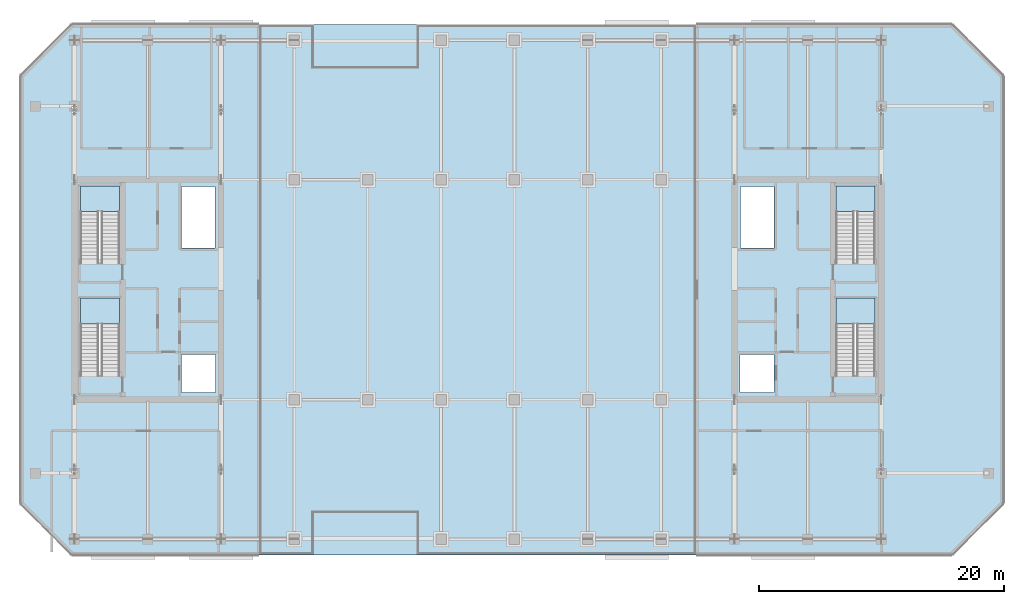
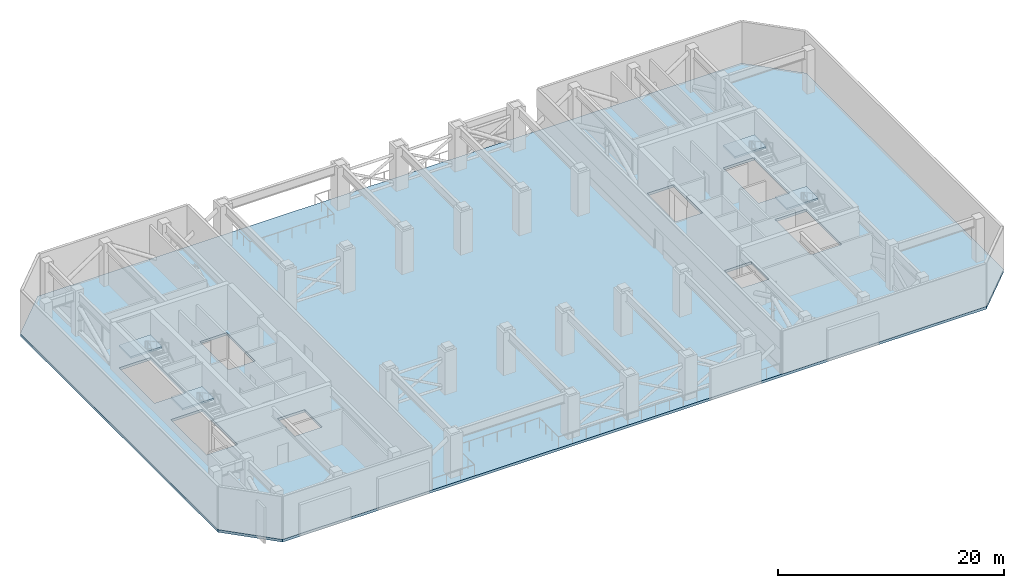
# One storey, part 7 of 18: 5 slabs, 4 elements without a shape of their own.
"""IFC4 building model written with IfcOpenShell, lengths in metres."""

import ifcopenshell
import ifcopenshell.guid

model = None  # the IFC model being written
_history = None  # IfcOwnerHistory: only IFC2X3 demands one
_inside = {}  # id of a spatial element -> (the spatial element, [elements in it])
_under = {}  # id of a project, library or spatial element -> (it, [spatial elements below it])
_declared = {}  # id of a project -> (the project, [libraries it declares])
_typed = {}  # id of a type object -> (the type object, [elements of that type])
_made_of = {}  # id of a material, layer set ... -> (it, [elements and type objects made of it])


def new_model(schema):
    """Start an empty IFC model of exactly this schema.

    Asked for "IFC4X3", IfcOpenShell would pick the latest addendum, in which some entities
    have other attributes; the version numbers below select the first issue.
    IFC2X3 requires an IfcOwnerHistory on every rooted entity: one is made here for all.
    """
    global model, _history
    if schema == "IFC4X3":
        model = ifcopenshell.file(schema_version=(4, 3, 0, 0))
    else:
        model = ifcopenshell.file(schema=schema)
    _inside.clear()
    _under.clear()
    _declared.clear()
    _typed.clear()
    _made_of.clear()
    _history = None
    if model.schema == "IFC2X3":
        org = make("IfcOrganization", Name="unknown")
        user = make(
            "IfcPersonAndOrganization",
            ThePerson=make("IfcPerson", FamilyName="unknown"),
            TheOrganization=org,
        )
        app = make(
            "IfcApplication",
            ApplicationDeveloper=org,
            Version="unknown",
            ApplicationFullName="unknown",
            ApplicationIdentifier="unknown",
        )
        _history = make(
            "IfcOwnerHistory",
            OwningUser=user,
            OwningApplication=app,
            ChangeAction="ADDED",
            CreationDate=0,
        )
    return model


def make(cls, **values):
    """One entity of the class cls with the attributes given. An attribute that is None is left unset."""
    return model.create_entity(
        cls, **{name: value for name, value in values.items() if value is not None}
    )


def rooted(cls, **values):
    """An entity with a GlobalId (a new one), such as an element, a storey or a relation."""
    return make(cls, GlobalId=ifcopenshell.guid.new(), OwnerHistory=_history, **values)


def si_unit(unit_type, name, prefix=None):
    """IfcSIUnit, for example si_unit("LENGTHUNIT", "METRE", prefix="MILLI")."""
    return make("IfcSIUnit", UnitType=unit_type, Prefix=prefix, Name=name)


def assignment(units):
    """IfcUnitAssignment: the units of a project."""
    return None if units is None else make("IfcUnitAssignment", Units=units)


def point(xyz):
    """IfcCartesianPoint."""
    return None if xyz is None else make("IfcCartesianPoint", Coordinates=xyz)


def direction(xyz):
    """IfcDirection."""
    return None if xyz is None else make("IfcDirection", DirectionRatios=xyz)


def frame(location, z_axis=None, x_axis=None):
    """IfcAxis2Placement3D, a coordinate frame: its origin and axes. An axis left out is left unset."""
    return make(
        "IfcAxis2Placement3D",
        Location=point(location),
        Axis=direction(z_axis),
        RefDirection=direction(x_axis),
    )


def origin():
    """The frame at (0, 0, 0) with its axes left unset."""
    return frame((0.0, 0.0, 0.0))


def place(relative_to, where):
    """IfcLocalPlacement: puts the frame where relative to a parent placement (None: the world)."""
    return make(
        "IfcLocalPlacement", PlacementRelTo=relative_to, RelativePlacement=where
    )


def context(
    kind, dimensions, precision=None, world=None, true_north=None, identifier=None
):
    """IfcGeometricRepresentationContext, for example the 3D "Model" context."""
    return make(
        "IfcGeometricRepresentationContext",
        ContextIdentifier=identifier,
        ContextType=kind,
        CoordinateSpaceDimension=dimensions,
        Precision=precision,
        WorldCoordinateSystem=world,
        TrueNorth=true_north,
    )


def subcontext(parent, identifier, kind, view, scale=None):
    """IfcGeometricRepresentationSubContext, for example "Body" below "Model"."""
    return make(
        "IfcGeometricRepresentationSubContext",
        ContextIdentifier=identifier,
        ContextType=kind,
        ParentContext=parent,
        TargetScale=scale,
        TargetView=view,
    )


def project(units=None, contexts=None):
    """IfcProject with its units and contexts."""
    return rooted(
        "IfcProject",
        Name="project",
        RepresentationContexts=contexts,
        UnitsInContext=assignment(units),
    )


def spatial(cls, under=None, at=None, **own):
    """A site, building, storey or space (cls), placed at a placement, below another one or the project."""
    s = rooted(cls, ObjectPlacement=at, **own)
    if under is not None:
        _under.setdefault(under.id(), (under, []))[1].append(s)
    return s


def polyline(points):
    """IfcPolyline through the points."""
    return make("IfcPolyline", Points=[point(p) for p in points])


def outline(outer, holes=None, kind="AREA"):
    """IfcArbitraryClosedProfileDef: a profile drawn as a closed curve; with holes, ...WithVoids."""
    if holes is None:
        return make("IfcArbitraryClosedProfileDef", ProfileType=kind, OuterCurve=outer)
    return make(
        "IfcArbitraryProfileDefWithVoids",
        ProfileType=kind,
        OuterCurve=outer,
        InnerCurves=holes,
    )


def extrude(swept, where, along, depth):
    """IfcExtrudedAreaSolid: the profile swept, set in the frame where, extruded along a direction by depth."""
    return make(
        "IfcExtrudedAreaSolid",
        SweptArea=swept,
        Position=where,
        ExtrudedDirection=direction(along),
        Depth=depth,
    )


def shape(context_of_items, identifier, shape_type, items):
    """IfcShapeRepresentation: the items that make up one representation, for example the "Body"."""
    return make(
        "IfcShapeRepresentation",
        ContextOfItems=context_of_items,
        RepresentationIdentifier=identifier,
        RepresentationType=shape_type,
        Items=items,
    )


def material(Name=None, Category=None):
    """IfcMaterial."""
    return make("IfcMaterial", Name=Name, Category=Category)


def layer(
    of_material, thickness, ventilated=None, Name=None, Category=None, Priority=None
):
    """IfcMaterialLayer: one layer of a wall or slab, of a material (None: an air gap)."""
    return make(
        "IfcMaterialLayer",
        Material=of_material,
        LayerThickness=thickness,
        IsVentilated=ventilated,
        Name=Name,
        Category=Category,
        Priority=Priority,
    )


def layer_set(layers, Name=None):
    """IfcMaterialLayerSet."""
    return make("IfcMaterialLayerSet", MaterialLayers=layers, LayerSetName=Name)


def made_of(thing, what):
    """Note that an element or type object is made of a material, layer set ...; save() writes the relation."""
    if what is not None:
        _made_of.setdefault(what.id(), (what, []))[1].append(thing)
    return thing


def type_object(cls, material=None, **own):
    """A type object (cls), such as IfcWallType, which elements share."""
    return made_of(rooted(cls, **own), material)


def element(
    cls,
    number,
    at=None,
    inside=None,
    cuts=None,
    type_object=None,
    material=None,
    context=None,
    identifier="Body",
    shape_type=None,
    held_by="IfcProductDefinitionShape",
    body=None,
    shapes=None,
    **own,
):
    """One element of the class cls, such as IfcWall. Its Tag is "e" and its number.

    at: its placement. inside: the storey or other place that contains it. cuts: it is an
    opening in that element (IfcRelVoidsElement). A single representation is given by context,
    identifier, shape_type and body (its items); several are given by shapes. held_by: the class
    of the entity that holds the representations. save() writes the other relations.
    """
    e = rooted(cls, Tag="e%d" % number, ObjectPlacement=at, **own)
    if body is not None:
        shapes = [shape(context, identifier, shape_type, body)]
    if shapes is not None:
        e.Representation = make(held_by, Representations=shapes)
    if inside is not None:
        _inside.setdefault(inside.id(), (inside, []))[1].append(e)
    if cuts is not None:
        rooted(
            "IfcRelVoidsElement", RelatingBuildingElement=cuts, RelatedOpeningElement=e
        )
    if type_object is not None:
        _typed.setdefault(type_object.id(), (type_object, []))[1].append(e)
    return made_of(e, material)


def aggregate(whole, parts):
    """IfcRelAggregates: a whole, such as a stair, and the parts it consists of."""
    return rooted("IfcRelAggregates", RelatingObject=whole, RelatedObjects=parts)


def save(model, path):
    """Write the relations noted so far, then the file.

    IfcRelAggregates (storeys below a building ...), IfcRelContainedInSpatialStructure (elements
    in a storey), IfcRelDefinesByType, IfcRelAssociatesMaterial and IfcRelDeclares: one each for
    every whole, place, type object, material and project.
    """
    for whole, parts in _under.values():
        aggregate(whole, parts)
    for where, things in _inside.values():
        rooted(
            "IfcRelContainedInSpatialStructure",
            RelatedElements=things,
            RelatingStructure=where,
        )
    for kind, things in _typed.values():
        rooted("IfcRelDefinesByType", RelatedObjects=things, RelatingType=kind)
    for what, things in _made_of.values():
        rooted("IfcRelAssociatesMaterial", RelatedObjects=things, RelatingMaterial=what)
    for by, libraries in _declared.values():
        rooted("IfcRelDeclares", RelatingContext=by, RelatedDefinitions=libraries)
    model.write(path)


model = new_model("IFC4")

# Units and contexts
model_context = context("Model", 3, precision=1e-05, world=origin(), true_north=direction((0.0, 1.0)))
body_context = subcontext(model_context, "Body", "Model", "MODEL_VIEW")
ifc_project = project(units=[si_unit("LENGTHUNIT", "METRE"), si_unit("AREAUNIT", "SQUARE_METRE"), si_unit("VOLUMEUNIT", "CUBIC_METRE"), si_unit("PLANEANGLEUNIT", "RADIAN"), si_unit("MASSUNIT", "GRAM", prefix="KILO")], contexts=[model_context])

# Site, building, storey
site_placement = place(None, origin())
site = spatial("IfcSite", under=ifc_project, at=site_placement, CompositionType="ELEMENT")
building_placement = place(site_placement, origin())
building = spatial("IfcBuilding", under=site, at=building_placement, Name="Tanjung Sevakor Pilgrim Tower", CompositionType="ELEMENT")
storey_placement = place(building_placement, frame((0.0, 0.0, 172.919921875)))
storey = spatial("IfcBuildingStorey", under=building, at=storey_placement, Name="L48", CompositionType="ELEMENT", Elevation=172.919921875)

# Stair, slab
ifc_material_1 = material(Name="Concrete C40/50", Category="concrete")
stair_type = type_object("IfcStairType", Name="STAIR-ST-CR150", PredefinedType="HALF_TURN_STAIR", material=ifc_material_1)
stair_1_placement = place(storey_placement, origin())
stair_1 = element("IfcStair", 1, at=stair_1_placement, inside=storey, type_object=stair_type, Name="L48 West Core Exit Stair 1", PredefinedType="HALF_TURN_STAIR")
ifc_material_2 = material(Name="Concrete C40/50", Category="concrete")
ifc_layer_1 = layer(ifc_material_2, 0.199951171875)
ifc_layer_set_1 = layer_set([ifc_layer_1], Name="SL-LAND-200")
slab_type_1 = type_object("IfcSlabType", Name="SL-LAND-200", PredefinedType="LANDING", material=ifc_layer_set_1)
slab_1_placement = place(storey_placement, frame((0.0, 0.0, 2.275146484375)))
slab_1 = element("IfcSlab", 2, at=slab_1_placement, type_object=slab_type_1, Name="TS-W1 landing 1", PredefinedType="LANDING", context=body_context, shape_type="SweptSolid", body=[
    extrude(outline(polyline([(27.699951171875, 30.800048828125), (27.699951171875, 32.89990234375), (24.5, 32.89990234375), (24.5, 30.800048828125), (27.699951171875, 30.800048828125)])), origin(), (0.0, 0.0, 1.0), 0.199951171875),
])
aggregate(stair_1, [slab_1])

stair_2_placement = place(storey_placement, origin())
stair_2 = element("IfcStair", 3, at=stair_2_placement, inside=storey, type_object=stair_type, Name="L48 West Core Exit Stair 2", PredefinedType="HALF_TURN_STAIR")
slab_2_placement = place(storey_placement, frame((0.0, 0.0, 2.275146484375)))
slab_2 = element("IfcSlab", 4, at=slab_2_placement, type_object=slab_type_1, Name="TS-W2 landing 1", PredefinedType="LANDING", context=body_context, shape_type="SweptSolid", body=[
    extrude(outline(polyline([(27.699951171875, 40.0), (27.699951171875, 42.10009765625), (24.5, 42.10009765625), (24.5, 40.0), (27.699951171875, 40.0)])), origin(), (0.0, 0.0, 1.0), 0.199951171875),
])
aggregate(stair_2, [slab_2])

stair_3_placement = place(storey_placement, origin())
stair_3 = element("IfcStair", 5, at=stair_3_placement, inside=storey, type_object=stair_type, Name="L48 East Core Exit Stair 1", PredefinedType="HALF_TURN_STAIR")
slab_3_placement = place(storey_placement, frame((0.0, 0.0, 2.275146484375)))
slab_3 = element("IfcSlab", 6, at=slab_3_placement, type_object=slab_type_1, Name="TS-E1 landing 1", PredefinedType="LANDING", context=body_context, shape_type="SweptSolid", body=[
    extrude(outline(polyline([(89.5, 30.800048828125), (89.5, 32.89990234375), (86.300048828125, 32.89990234375), (86.300048828125, 30.800048828125), (89.5, 30.800048828125)])), origin(), (0.0, 0.0, 1.0), 0.199951171875),
])
aggregate(stair_3, [slab_3])

stair_4_placement = place(storey_placement, origin())
stair_4 = element("IfcStair", 7, at=stair_4_placement, inside=storey, type_object=stair_type, Name="L48 East Core Exit Stair 2", PredefinedType="HALF_TURN_STAIR")
slab_4_placement = place(storey_placement, frame((0.0, 0.0, 2.275146484375)))
slab_4 = element("IfcSlab", 8, at=slab_4_placement, type_object=slab_type_1, Name="TS-E2 landing 1", PredefinedType="LANDING", context=body_context, shape_type="SweptSolid", body=[
    extrude(outline(polyline([(89.5, 40.0), (89.5, 42.10009765625), (86.300048828125, 42.10009765625), (86.300048828125, 40.0), (89.5, 40.0)])), origin(), (0.0, 0.0, 1.0), 0.199951171875),
])
aggregate(stair_4, [slab_4])

# Slab
ifc_material_3 = material(Name="Concrete C40/50", Category="concrete")
ifc_layer_2 = layer(ifc_material_3, 0.280029296875)
ifc_layer_set_2 = layer_set([ifc_layer_2], Name="SL-SKY-280")
slab_type_2 = type_object("IfcSlabType", Name="SL-SKY-280", PredefinedType="FLOOR", material=ifc_layer_set_2)
slab_5_placement = place(storey_placement, frame((0.0, 0.0, -0.280029296875)))
element("IfcSlab", 9, at=slab_5_placement, inside=storey, type_object=slab_type_2, Name="L48 Floor Slab MAIN", PredefinedType="FLOOR", context=body_context, shape_type="SweptSolid", body=[
    extrude(outline(polyline([(23.800048828125, 11.89990234375), (95.800048828125, 11.89990234375), (100.0, 16.10009765625), (100.0, 51.10009765625), (95.800048828125, 55.300048828125), (23.800048828125, 55.300048828125), (19.60009765625, 51.10009765625), (19.60009765625, 16.10009765625), (23.800048828125, 11.89990234375)]), holes=[polyline([(27.699951171875, 26.60009765625), (27.699951171875, 32.89990234375), (24.5, 32.89990234375), (24.5, 26.60009765625), (27.699951171875, 26.60009765625)]), polyline([(27.699951171875, 35.800048828125), (27.699951171875, 42.10009765625), (24.5, 42.10009765625), (24.5, 35.800048828125), (27.699951171875, 35.800048828125)]), polyline([(89.5, 26.60009765625), (89.5, 32.89990234375), (86.300048828125, 32.89990234375), (86.300048828125, 26.60009765625), (89.5, 26.60009765625)]), polyline([(89.5, 35.800048828125), (89.5, 42.10009765625), (86.300048828125, 42.10009765625), (86.300048828125, 35.800048828125), (89.5, 35.800048828125)]), polyline([(32.75, 25.199951171875), (35.550048828125, 25.199951171875), (35.550048828125, 28.300048828125), (32.75, 28.300048828125), (32.75, 25.199951171875)]), polyline([(32.75, 37.0), (35.5, 37.0), (35.5, 42.050048828125), (32.75, 42.050048828125), (32.75, 37.0)]), polyline([(78.449951171875, 25.199951171875), (81.25, 25.199951171875), (81.25, 28.300048828125), (78.449951171875, 28.300048828125), (78.449951171875, 25.199951171875)]), polyline([(78.5, 37.0), (81.25, 37.0), (81.25, 42.050048828125), (78.5, 42.050048828125), (78.5, 37.0)])]), origin(), (0.0, 0.0, 1.0), 0.280029296875),
])

save(model, "model.ifc")
